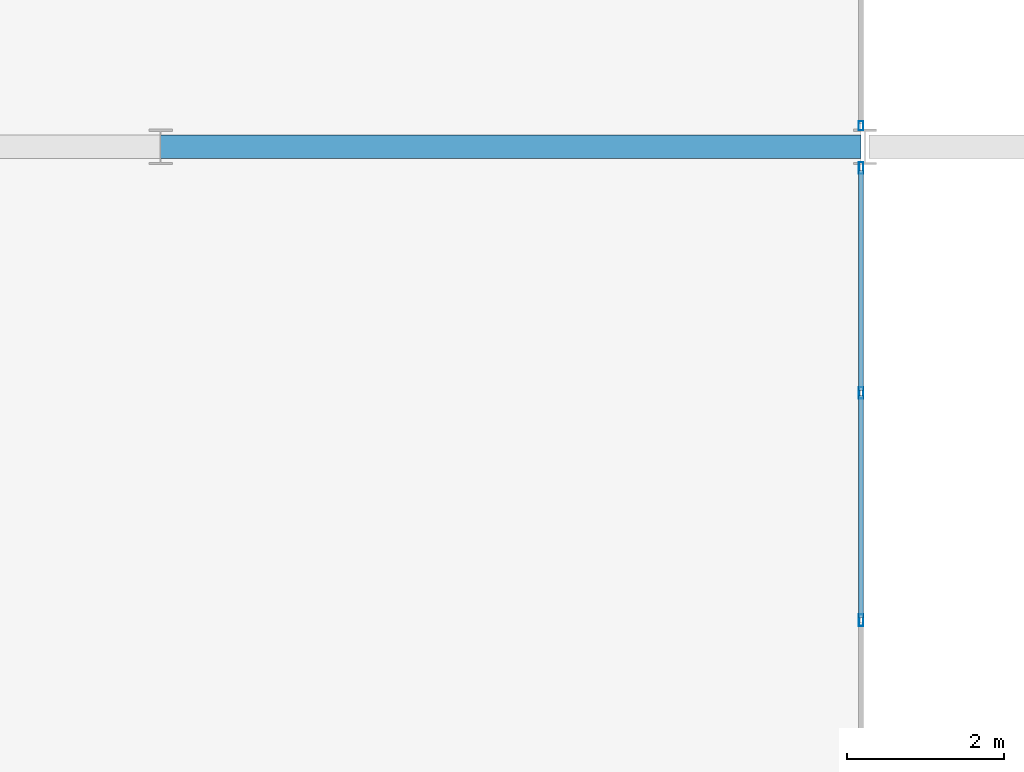
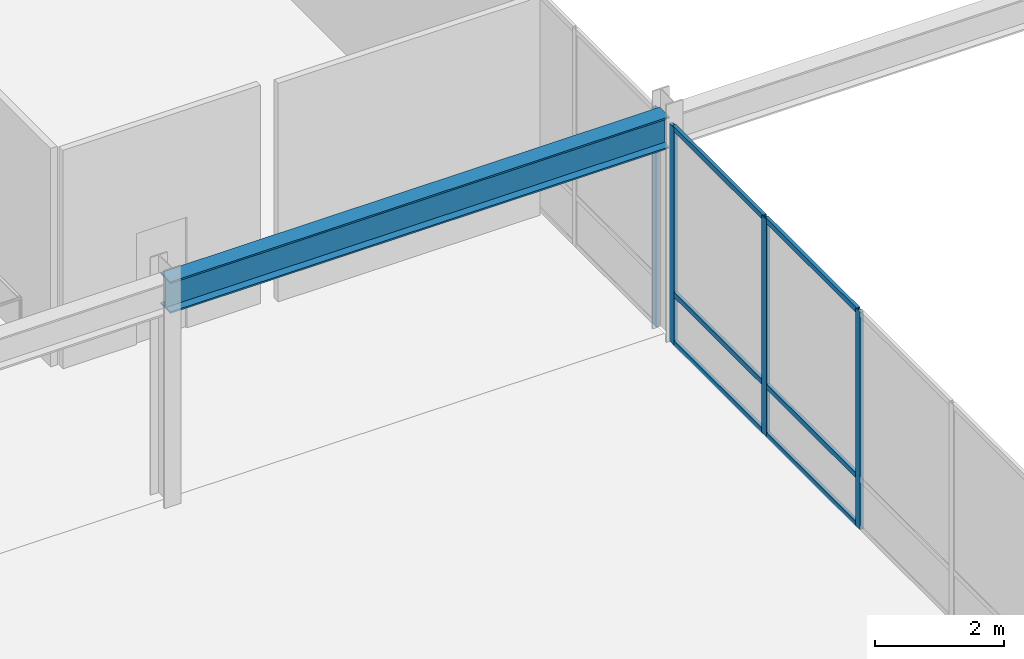
# One storey, part 60 of 115: 10 members, 1 beam, 2 elements without a shape of their own.
"""IFC4 building model written with IfcOpenShell, lengths in metres."""

from ifc_helpers import new_model, si_unit, direction, frame, origin, origin_2d, place, context, subcontext, project, spatial, hollow_rectangle, i_section, extrude, material, layer, layer_set, material_profile, profile_set, type_object, element, aggregate, save


model = new_model("IFC4")

# Units and contexts
model_context = context("Model", 3, precision=1e-05, world=origin(), true_north=direction((0.0, 1.0)))
body_context = subcontext(model_context, "Body", "Model", "MODEL_VIEW")
ifc_project = project(units=[si_unit("LENGTHUNIT", "METRE"), si_unit("AREAUNIT", "SQUARE_METRE"), si_unit("VOLUMEUNIT", "CUBIC_METRE"), si_unit("PLANEANGLEUNIT", "RADIAN"), si_unit("MASSUNIT", "GRAM", prefix="KILO")], contexts=[model_context])

# Site, building, storey
site_placement = place(None, origin())
site = spatial("IfcSite", under=ifc_project, at=site_placement, CompositionType="ELEMENT")
building_placement = place(site_placement, origin())
building = spatial("IfcBuilding", under=site, at=building_placement, Name="Montelvaro Courts of Justice", CompositionType="ELEMENT")
storey_placement = place(building_placement, frame((0.0, 0.0, 9.89990234375)))
storey = spatial("IfcBuildingStorey", under=building, at=storey_placement, Name="L02", CompositionType="ELEMENT", Elevation=9.89990234375)

# Beam
ifc_material_1 = material(Name="Steel S355", Category="steel")
ifc_material_profile_1 = material_profile(ifc_material_1, i_section(OverallWidth=0.300048828125, OverallDepth=0.60009765625, WebThickness=0.015380859375, FlangeThickness=0.030029296875, at=origin_2d()), Name="HEB 600")
ifc_profile_set_1 = profile_set([ifc_material_profile_1], Name="Steel S355")
beam_type = type_object("IfcBeamType", Name="Beam_HEB600", PredefinedType="USERDEFINED", material=ifc_profile_set_1)
beam_placement = place(storey_placement, frame((72.0, 78.0, 3.900146484375), z_axis=(1.0, 0.0, 0.0), x_axis=(0.0, 1.0, 0.0)))
element("IfcBeam", 1, at=beam_placement, inside=storey, type_object=beam_type, Name="V1 Roof Eave Girder", ObjectType="GIRDER", PredefinedType="USERDEFINED", context=body_context, shape_type="SweptSolid", body=[
    extrude(i_section(OverallWidth=0.300048828125, OverallDepth=0.60009765625, WebThickness=0.015380859375, FlangeThickness=0.030029296875, at=origin_2d()), origin(), (0.0, 0.0, 1.0), 8.949951171875),
])

# Curtain wall, member
ifc_material_2 = material(Name="Anodised aluminium EN AW-6063", Category="aluminium")
ifc_layer_1 = layer(ifc_material_2, 0.159912109375)
ifc_layer_set_1 = layer_set([ifc_layer_1], Name="Anodised aluminium EN AW-6063")
curtain_wall_type_1 = type_object("IfcCurtainWallType", Name="CurtainWall_22_1761x418", PredefinedType="USERDEFINED", material=ifc_layer_set_1)
curtain_wall_1_placement = place(storey_placement, origin())
curtain_wall_1 = element("IfcCurtainWall", 2, at=curtain_wall_1_placement, inside=storey, type_object=curtain_wall_type_1, Name="Curtain Wall CW-22 (L02)", ObjectType="CURTAIN WALL", PredefinedType="USERDEFINED")
ifc_material_profile_2 = material_profile(ifc_material_2, hollow_rectangle(XDim=0.06005859375, YDim=0.1201171875, WallThickness=0.00341796875, at=origin_2d()), Name="ALU-M 60x120")
ifc_profile_set_2 = profile_set([ifc_material_profile_2], Name="Anodised aluminium EN AW-6063")
member_type_1 = type_object("IfcMemberType", Name="CurtainWall_Mullion_60x120", PredefinedType="MULLION", material=ifc_profile_set_2)
member_1_placement = place(storey_placement, frame((80.949951171875, 78.27001953125, 0.0), z_axis=(0.0, 0.0, 1.0), x_axis=(-1.0, 0.0, 0.0)))
member_1 = element("IfcMember", 3, at=member_1_placement, type_object=member_type_1, Name="CW-22 mullion 1", PredefinedType="MULLION", context=body_context, shape_type="SweptSolid", body=[
    extrude(hollow_rectangle(XDim=0.06005859375, YDim=0.1201171875, WallThickness=0.00341796875, at=origin_2d()), origin(), (0.0, 0.0, 1.0), 4.1201171875),
])
aggregate(curtain_wall_1, [member_1])

# Curtain wall, members
ifc_layer_2 = layer(ifc_material_2, 0.159912109375)
ifc_layer_set_2 = layer_set([ifc_layer_2], Name="Anodised aluminium EN AW-6063")
curtain_wall_type_2 = type_object("IfcCurtainWallType", Name="CurtainWall_19_1159x418", PredefinedType="USERDEFINED", material=ifc_layer_set_2)
curtain_wall_2_placement = place(storey_placement, origin())
curtain_wall_2 = element("IfcCurtainWall", 4, at=curtain_wall_2_placement, inside=storey, type_object=curtain_wall_type_2, Name="Curtain Wall CW-19 (L02)", ObjectType="CURTAIN WALL", PredefinedType="USERDEFINED")
ifc_material_profile_3 = material_profile(ifc_material_2, hollow_rectangle(XDim=0.06005859375, YDim=0.14990234375, WallThickness=0.00390625, at=origin_2d()), Name="ALU-M 60x150")
ifc_profile_set_3 = profile_set([ifc_material_profile_3], Name="Anodised aluminium EN AW-6063")
member_type_2 = type_object("IfcMemberType", Name="CurtainWall_Mullion_60x150", PredefinedType="MULLION", material=ifc_profile_set_3)
member_2_placement = place(storey_placement, frame((80.949951171875, 71.952392578125, 0.0), z_axis=(0.0, 0.0, 1.0), x_axis=(-1.0, 0.0, 0.0)))
member_2 = element("IfcMember", 5, at=member_2_placement, type_object=member_type_2, Name="CW-19 mullion 3", PredefinedType="MULLION", context=body_context, shape_type="SweptSolid", body=[
    extrude(hollow_rectangle(XDim=0.06005859375, YDim=0.14990234375, WallThickness=0.00390625, at=origin_2d()), origin(), (0.0, 0.0, 1.0), 4.1201171875),
])
member_3_placement = place(storey_placement, frame((80.949951171875, 74.856201171875, 0.0), z_axis=(0.0, 0.0, 1.0), x_axis=(-1.0, 0.0, 0.0)))
member_3 = element("IfcMember", 6, at=member_3_placement, type_object=member_type_2, Name="CW-19 mullion 4", PredefinedType="MULLION", context=body_context, shape_type="SweptSolid", body=[
    extrude(hollow_rectangle(XDim=0.06005859375, YDim=0.14990234375, WallThickness=0.00390625, at=origin_2d()), origin(), (0.0, 0.0, 1.0), 4.1201171875),
])
member_4_placement = place(storey_placement, frame((80.949951171875, 77.72998046875, 0.0), z_axis=(0.0, 0.0, 1.0), x_axis=(-1.0, 0.0, 0.0)))
member_4 = element("IfcMember", 7, at=member_4_placement, type_object=member_type_2, Name="CW-19 mullion 5", PredefinedType="MULLION", context=body_context, shape_type="SweptSolid", body=[
    extrude(hollow_rectangle(XDim=0.06005859375, YDim=0.14990234375, WallThickness=0.00390625, at=origin_2d()), origin(), (0.0, 0.0, 1.0), 4.1201171875),
])
ifc_material_profile_4 = material_profile(ifc_material_2, hollow_rectangle(XDim=0.06005859375, YDim=0.10009765625, WallThickness=0.00341796875, at=origin_2d()), Name="ALU-T 60x100")
ifc_profile_set_4 = profile_set([ifc_material_profile_4], Name="Anodised aluminium EN AW-6063")
member_type_3 = type_object("IfcMemberType", Name="CurtainWall_Transom_60x100", PredefinedType="USERDEFINED", material=ifc_profile_set_4)
member_5_placement = place(storey_placement, frame((80.949951171875, 71.982421875, 0.030029296875), z_axis=(0.0, 1.0, 0.0), x_axis=(-1.0, 0.0, 0.0)))
member_5 = element("IfcMember", 8, at=member_5_placement, type_object=member_type_3, Name="CW-19 transom 3.1", ObjectType="TRANSOM", PredefinedType="USERDEFINED", context=body_context, shape_type="SweptSolid", body=[
    extrude(hollow_rectangle(XDim=0.06005859375, YDim=0.10009765625, WallThickness=0.00341796875, at=origin_2d()), origin(), (0.0, 0.0, 1.0), 2.84375),
])
member_6_placement = place(storey_placement, frame((80.949951171875, 71.982421875, 0.9501953125), z_axis=(0.0, 1.0, 0.0), x_axis=(-1.0, 0.0, 0.0)))
member_6 = element("IfcMember", 9, at=member_6_placement, type_object=member_type_3, Name="CW-19 transom 3.2", ObjectType="TRANSOM", PredefinedType="USERDEFINED", context=body_context, shape_type="SweptSolid", body=[
    extrude(hollow_rectangle(XDim=0.06005859375, YDim=0.10009765625, WallThickness=0.00341796875, at=origin_2d()), origin(), (0.0, 0.0, 1.0), 2.84375),
])
member_7_placement = place(storey_placement, frame((80.949951171875, 71.982421875, 4.090087890625), z_axis=(0.0, 1.0, 0.0), x_axis=(-1.0, 0.0, 0.0)))
member_7 = element("IfcMember", 10, at=member_7_placement, type_object=member_type_3, Name="CW-19 transom 3.3", ObjectType="TRANSOM", PredefinedType="USERDEFINED", context=body_context, shape_type="SweptSolid", body=[
    extrude(hollow_rectangle(XDim=0.06005859375, YDim=0.10009765625, WallThickness=0.00341796875, at=origin_2d()), origin(), (0.0, 0.0, 1.0), 2.84375),
])
member_8_placement = place(storey_placement, frame((80.949951171875, 74.88623046875, 0.030029296875), z_axis=(0.0, 1.0, 0.0), x_axis=(-1.0, 0.0, 0.0)))
member_8 = element("IfcMember", 11, at=member_8_placement, type_object=member_type_3, Name="CW-19 transom 4.1", ObjectType="TRANSOM", PredefinedType="USERDEFINED", context=body_context, shape_type="SweptSolid", body=[
    extrude(hollow_rectangle(XDim=0.06005859375, YDim=0.10009765625, WallThickness=0.00341796875, at=origin_2d()), origin(), (0.0, 0.0, 1.0), 2.813720703125),
])
member_9_placement = place(storey_placement, frame((80.949951171875, 74.88623046875, 0.9501953125), z_axis=(0.0, 1.0, 0.0), x_axis=(-1.0, 0.0, 0.0)))
member_9 = element("IfcMember", 12, at=member_9_placement, type_object=member_type_3, Name="CW-19 transom 4.2", ObjectType="TRANSOM", PredefinedType="USERDEFINED", context=body_context, shape_type="SweptSolid", body=[
    extrude(hollow_rectangle(XDim=0.06005859375, YDim=0.10009765625, WallThickness=0.00341796875, at=origin_2d()), origin(), (0.0, 0.0, 1.0), 2.813720703125),
])
member_10_placement = place(storey_placement, frame((80.949951171875, 74.88623046875, 4.090087890625), z_axis=(0.0, 1.0, 0.0), x_axis=(-1.0, 0.0, 0.0)))
member_10 = element("IfcMember", 13, at=member_10_placement, type_object=member_type_3, Name="CW-19 transom 4.3", ObjectType="TRANSOM", PredefinedType="USERDEFINED", context=body_context, shape_type="SweptSolid", body=[
    extrude(hollow_rectangle(XDim=0.06005859375, YDim=0.10009765625, WallThickness=0.00341796875, at=origin_2d()), origin(), (0.0, 0.0, 1.0), 2.813720703125),
])
aggregate(curtain_wall_2, [member_2, member_3, member_4, member_5, member_6, member_7, member_8, member_9, member_10])

save(model, "model.ifc")
